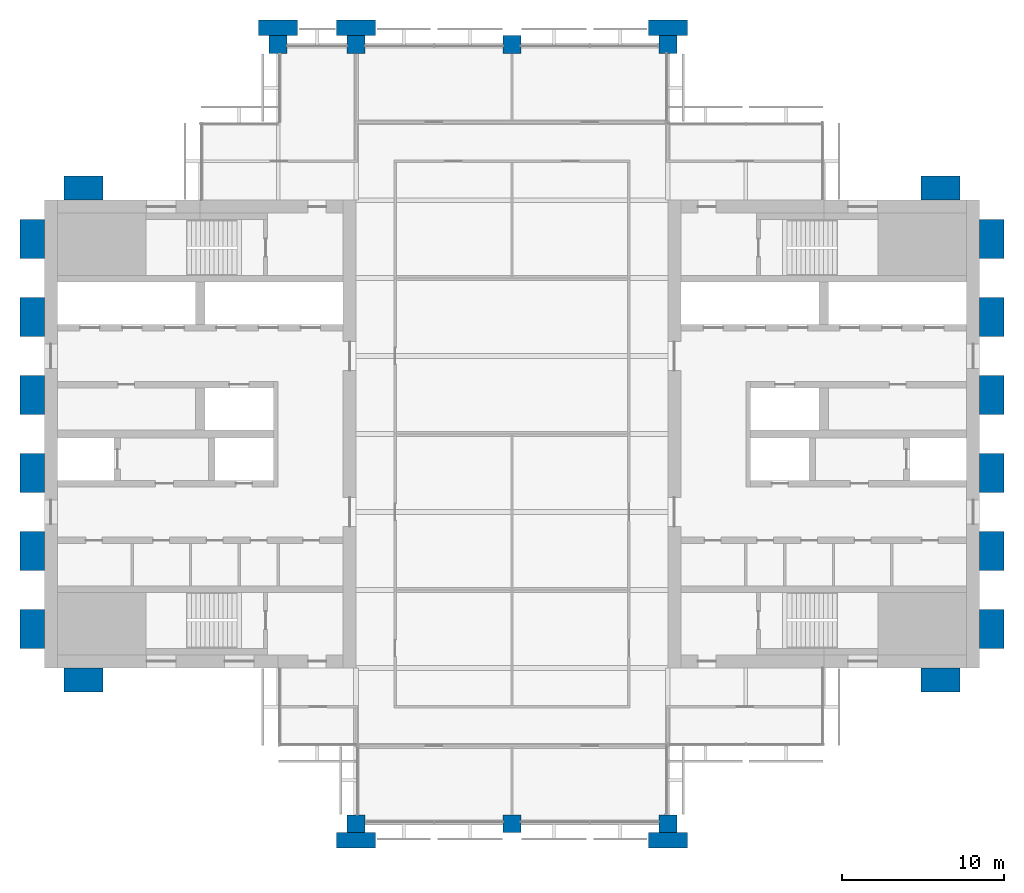
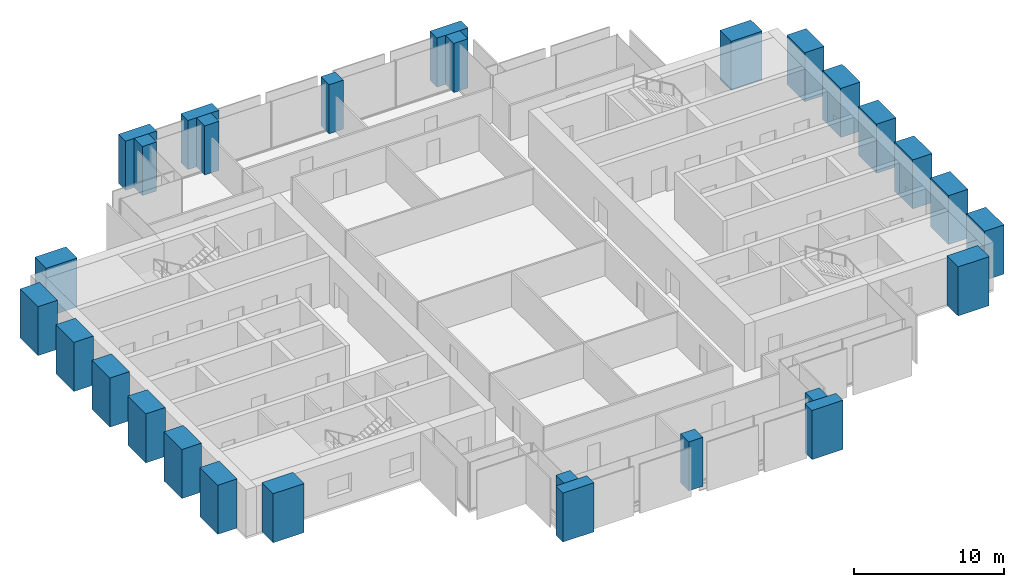
# One storey, part 1 of 13: 28 columns.
"""IFC4 building model written with IfcOpenShell, lengths in metres."""

from ifc_helpers import new_model, si_unit, direction, frame, origin, origin_2d, place, context, subcontext, project, spatial, rectangle, extrude, material, material_profile, profile_set, type_object, element, save


model = new_model("IFC4")

# Units and contexts
model_context = context("Model", 3, precision=1e-05, world=origin(), true_north=direction((0.0, 1.0)))
body_context = subcontext(model_context, "Body", "Model", "MODEL_VIEW")
ifc_project = project(units=[si_unit("LENGTHUNIT", "METRE"), si_unit("AREAUNIT", "SQUARE_METRE"), si_unit("VOLUMEUNIT", "CUBIC_METRE"), si_unit("PLANEANGLEUNIT", "RADIAN"), si_unit("MASSUNIT", "GRAM", prefix="KILO")], contexts=[model_context])

# Site, building, storey
site_placement = place(None, origin())
site = spatial("IfcSite", under=ifc_project, at=site_placement, CompositionType="ELEMENT")
building_placement = place(site_placement, origin())
building = spatial("IfcBuilding", under=site, at=building_placement, Name="Baori Bourse Tower", CompositionType="ELEMENT")
storey_placement = place(building_placement, frame((0.0, 0.0, 217.199951171875)))
storey = spatial("IfcBuildingStorey", under=building, at=storey_placement, Name="L47", CompositionType="ELEMENT", Elevation=217.199951171875)

# Columns
ifc_material_1 = material(Name="Concrete f'c 60 MPa", Category="concrete")
ifc_material_profile_1 = material_profile(ifc_material_1, rectangle(XDim=2.39990234375, YDim=0.949951171875, at=origin_2d()), Name="RC 2400x950")
ifc_profile_set_1 = profile_set([ifc_material_profile_1], Name="Concrete f'c 60 MPa")
column_type_1 = type_object("IfcColumnType", Name="FN3 Brick pilaster 2400x950", PredefinedType="PILASTER", material=ifc_profile_set_1)
for number, where, z_axis, x_axis, name in (
    (1, (19.199951171875, -1.02490234375, 0.0), (0.0, 0.0, 1.0), (1.0, 0.0, 0.0), "Brick pilaster L47 17"),
    (2, (38.39990234375, -1.02490234375, 0.0), (0.0, 0.0, 1.0), (1.0, 0.0, 0.0), "Brick pilaster L47 18"),
    (3, (14.39990234375, 49.02490234375, 0.0), (0.0, 0.0, 1.0), (1.0, 0.0, 0.0), "Brick pilaster L47 19"),
    (4, (19.199951171875, 49.02490234375, 0.0), (0.0, 0.0, 1.0), (1.0, 0.0, 0.0), "Brick pilaster L47 20"),
    (5, (38.39990234375, 49.02490234375, 0.0), (0.0, 0.0, 1.0), (1.0, 0.0, 0.0), "Brick pilaster L47 21"),
):
    element("IfcColumn", number, at=place(storey_placement, frame(where, z_axis=z_axis, x_axis=x_axis)), inside=storey, type_object=column_type_1, Name=name, PredefinedType="PILASTER", context=body_context, shape_type="SweptSolid", body=[
        extrude(rectangle(XDim=2.39990234375, YDim=0.949951171875, at=origin_2d()), origin(), (0.0, 0.0, 1.0), 4.0),
    ])
ifc_material_2 = material(Name="Concrete f'c 60 MPa", Category="concrete")
ifc_material_profile_2 = material_profile(ifc_material_2, rectangle(XDim=2.39990234375, YDim=1.5, at=origin_2d()), Name="RC 2400x1500")
ifc_profile_set_2 = profile_set([ifc_material_profile_2], Name="Concrete f'c 60 MPa")
column_type_2 = type_object("IfcColumnType", Name="FN4 Brick flank pilaster 2400x1500", PredefinedType="PILASTER", material=ifc_profile_set_2)
for number, where, z_axis, x_axis, name in (
    (6, (55.199951171875, 8.85009765625, 0.0), (0.0, 0.0, 1.0), (1.0, 0.0, 0.0), "Brick pilaster L47 1"),
    (7, (58.35009765625, 12.0, 0.0), (0.0, 0.0, 1.0), (0.0, 1.0, 0.0), "Brick pilaster L47 2"),
    (8, (58.35009765625, 16.800048828125, 0.0), (0.0, 0.0, 1.0), (0.0, 1.0, 0.0), "Brick pilaster L47 3"),
    (9, (58.35009765625, 21.60009765625, 0.0), (0.0, 0.0, 1.0), (0.0, 1.0, 0.0), "Brick pilaster L47 4"),
    (10, (58.35009765625, 26.39990234375, 0.0), (0.0, 0.0, 1.0), (0.0, 1.0, 0.0), "Brick pilaster L47 5"),
    (11, (58.35009765625, 31.199951171875, 0.0), (0.0, 0.0, 1.0), (0.0, 1.0, 0.0), "Brick pilaster L47 6"),
    (12, (58.35009765625, 36.0, 0.0), (0.0, 0.0, 1.0), (0.0, 1.0, 0.0), "Brick pilaster L47 7"),
    (13, (55.199951171875, 39.14990234375, 0.0), (0.0, 0.0, 1.0), (1.0, 0.0, 0.0), "Brick pilaster L47 8"),
    (14, (2.39990234375, 39.14990234375, 0.0), (0.0, 0.0, 1.0), (1.0, 0.0, 0.0), "Brick pilaster L47 9"),
    (15, (-0.75, 12.0, 0.0), (0.0, 0.0, 1.0), (0.0, 1.0, 0.0), "Brick pilaster L47 10"),
    (16, (-0.75, 16.800048828125, 0.0), (0.0, 0.0, 1.0), (0.0, 1.0, 0.0), "Brick pilaster L47 11"),
    (17, (-0.75, 21.60009765625, 0.0), (0.0, 0.0, 1.0), (0.0, 1.0, 0.0), "Brick pilaster L47 12"),
    (18, (-0.75, 26.39990234375, 0.0), (0.0, 0.0, 1.0), (0.0, 1.0, 0.0), "Brick pilaster L47 13"),
    (19, (-0.75, 31.199951171875, 0.0), (0.0, 0.0, 1.0), (0.0, 1.0, 0.0), "Brick pilaster L47 14"),
    (20, (-0.75, 36.0, 0.0), (0.0, 0.0, 1.0), (0.0, 1.0, 0.0), "Brick pilaster L47 15"),
    (21, (2.39990234375, 8.85009765625, 0.0), (0.0, 0.0, 1.0), (1.0, 0.0, 0.0), "Brick pilaster L47 16"),
):
    element("IfcColumn", number, at=place(storey_placement, frame(where, z_axis=z_axis, x_axis=x_axis)), inside=storey, type_object=column_type_2, Name=name, PredefinedType="PILASTER", context=body_context, shape_type="SweptSolid", body=[
        extrude(rectangle(XDim=2.39990234375, YDim=1.5, at=origin_2d()), origin(), (0.0, 0.0, 1.0), 4.0),
    ])
ifc_material_3 = material(Name="Concrete f'c 50 MPa", Category="concrete")
ifc_material_profile_3 = material_profile(ifc_material_3, rectangle(XDim=1.10009765625, YDim=1.10009765625, at=origin_2d()), Name="RC 1100x1100")
ifc_profile_set_3 = profile_set([ifc_material_profile_3], Name="Concrete f'c 50 MPa")
column_type_3 = type_object("IfcColumnType", Name="Perimeter column 50 RC 1100x1100", PredefinedType="COLUMN", material=ifc_profile_set_3)
for number, where, z_axis, x_axis, name in (
    (22, (19.199951171875, 0.0, 0.0), (0.0, 0.0, 1.0), (1.0, 0.0, 0.0), "Perimeter column L47"),
    (23, (28.800048828125, 0.0, 0.0), (0.0, 0.0, 1.0), (1.0, 0.0, 0.0), "Perimeter column L47"),
    (24, (38.39990234375, 0.0, 0.0), (0.0, 0.0, 1.0), (1.0, 0.0, 0.0), "Perimeter column L47"),
    (25, (14.39990234375, 48.0, 0.0), (0.0, 0.0, 1.0), (1.0, 0.0, 0.0), "Perimeter column L47"),
    (26, (19.199951171875, 48.0, 0.0), (0.0, 0.0, 1.0), (1.0, 0.0, 0.0), "Perimeter column L47"),
    (27, (28.800048828125, 48.0, 0.0), (0.0, 0.0, 1.0), (1.0, 0.0, 0.0), "Perimeter column L47"),
    (28, (38.39990234375, 48.0, 0.0), (0.0, 0.0, 1.0), (1.0, 0.0, 0.0), "Perimeter column L47"),
):
    element("IfcColumn", number, at=place(storey_placement, frame(where, z_axis=z_axis, x_axis=x_axis)), inside=storey, type_object=column_type_3, Name=name, PredefinedType="COLUMN", context=body_context, shape_type="SweptSolid", body=[
        extrude(rectangle(XDim=1.10009765625, YDim=1.10009765625, at=origin_2d()), origin(), (0.0, 0.0, 1.0), 4.0),
    ])

save(model, "model.ifc")
